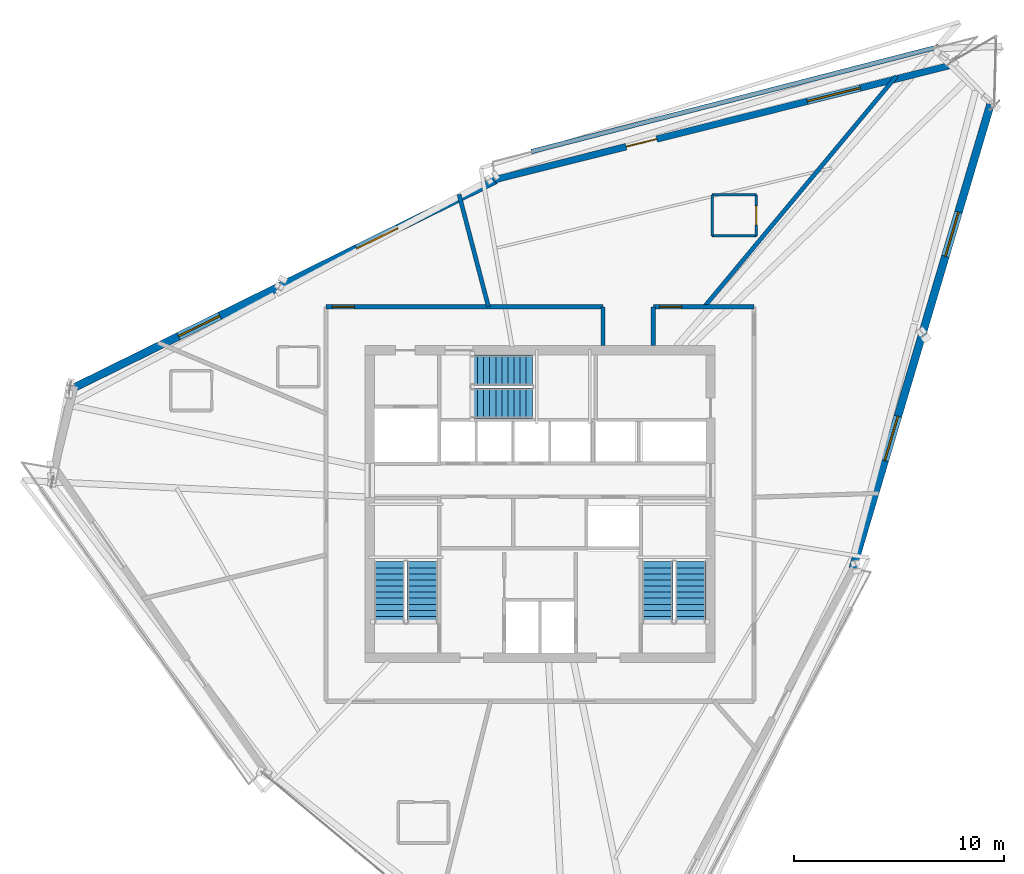
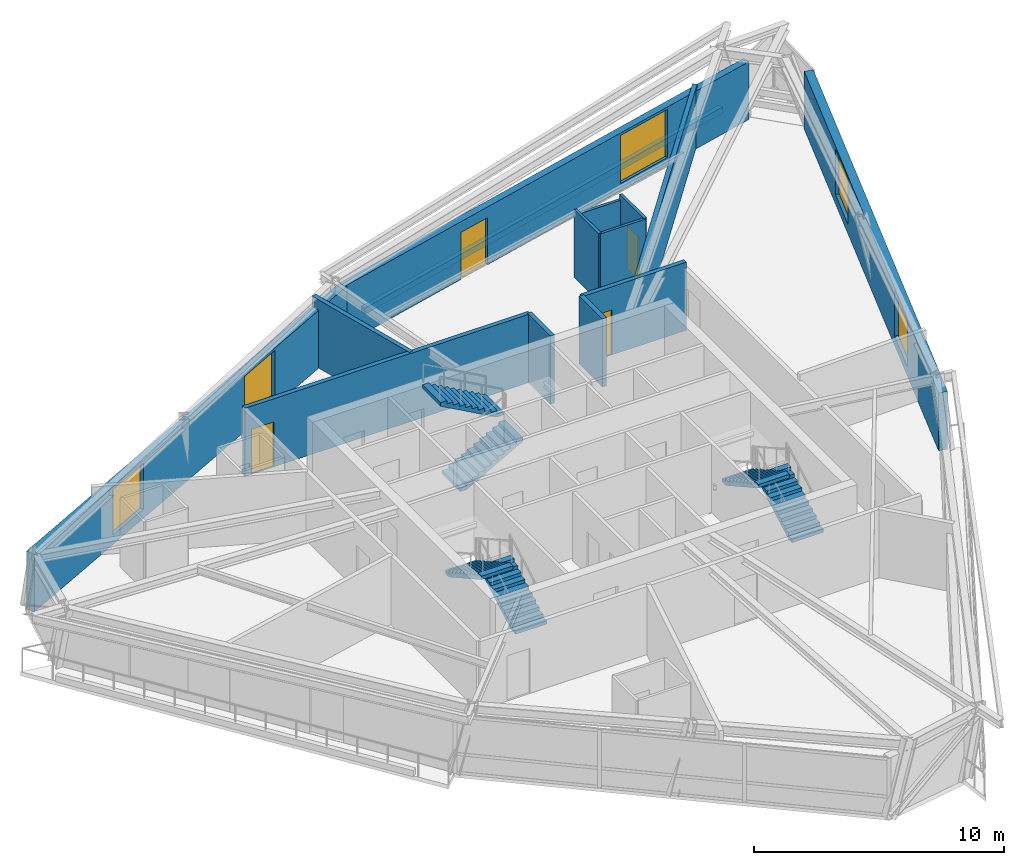
# One storey, part 11 of 14: 14 walls, 6 stair flights, 5 windows, 4 doors, 9 openings, 3 elements without a shape of their own.
"""IFC4 building model written with IfcOpenShell, lengths in metres."""

from ifc_helpers import new_model, si_unit, direction, frame, frame_2d, origin, place, context, subcontext, project, spatial, polyline, rectangle, outline, extrude, source, transform, mapped, material, layer, layer_set, type_object, type_shapes, element, fill, aggregate, save


model = new_model("IFC4")

# Units and contexts
model_context = context("Model", 3, precision=1e-05, world=origin(), true_north=direction((0.0, 1.0)))
body_context = subcontext(model_context, "Body", "Model", "MODEL_VIEW")
ifc_project = project(units=[si_unit("LENGTHUNIT", "METRE"), si_unit("AREAUNIT", "SQUARE_METRE"), si_unit("VOLUMEUNIT", "CUBIC_METRE"), si_unit("PLANEANGLEUNIT", "RADIAN"), si_unit("MASSUNIT", "GRAM", prefix="KILO")], contexts=[model_context])

# Site, building, storey
site_placement = place(None, origin())
site = spatial("IfcSite", under=ifc_project, at=site_placement, CompositionType="ELEMENT")
building_placement = place(site_placement, origin())
building = spatial("IfcBuilding", under=site, at=building_placement, Name="Olszyna Solenne Hotel", CompositionType="ELEMENT")
storey_placement = place(building_placement, frame((0.0, 0.0, 220.25)))
storey = spatial("IfcBuildingStorey", under=building, at=storey_placement, Name="L58", CompositionType="ELEMENT", Elevation=220.25)

# Wall, openings, door, window
ifc_material_1 = material(Name="Precast concrete C45/55", Category="concrete")
ifc_layer_1 = layer(ifc_material_1, 0.320068359375, Name="Precast concrete C45/55")
ifc_layer_set_1 = layer_set([ifc_layer_1], Name="Precast concrete C45/55")
wall_type_1 = type_object("IfcWallType", Name="WL-EX320", PredefinedType="SOLIDWALL", material=ifc_layer_set_1)
wall_1_placement = place(storey_placement, frame((35.845703125, 42.06103515625, 0.0), z_axis=(0.0, 0.0, 1.0), x_axis=(0.969934169837, 0.243367430408, 0.0)))
wall_1 = element("IfcWall", 1, at=wall_1_placement, inside=storey, type_object=wall_type_1, Name="Exterior terracotta-precast frame wall WL-EX320 EW-L58-07", PredefinedType="SOLIDWALL", context=body_context, shape_type="SweptSolid", body=[
    extrude(rectangle(XDim=22.51123046875, YDim=0.320068359375, at=frame_2d((11.255615234375, 0.0))), origin(), (0.0, 0.0, 1.0), 2.822021484375),
])
opening_1_placement = place(wall_1_placement, frame((6.4541015625, 0.0, 0.0)))
opening_1 = element("IfcOpeningElement", 2, at=opening_1_placement, cuts=wall_1, Name="Opening LDG-L58-1", PredefinedType="OPENING", context=body_context, shape_type="SweptSolid", body=[
    extrude(rectangle(XDim=1.5, YDim=2.300048828125, at=frame_2d((0.75, 1.14990234375))), frame((0.0, 0.169921875, 0.0), z_axis=(0.0, -1.0, 0.0), x_axis=(1.0, 0.0, 0.0)), (0.0, 0.0, 1.0), 0.340087890625),
])
opening_2_placement = place(wall_1_placement, frame((15.35791015625, 0.0, 0.35205078125)))
opening_2 = element("IfcOpeningElement", 3, at=opening_2_placement, cuts=wall_1, Name="Opening WN-L58-377", PredefinedType="OPENING", context=body_context, shape_type="SweptSolid", body=[
    extrude(rectangle(XDim=2.60009765625, YDim=2.35009765625, at=frame_2d((1.300048828125, 1.175048828125))), frame((0.0, 0.169921875, 0.0), z_axis=(0.0, -1.0, 0.0), x_axis=(1.0, 0.0, 0.0)), (0.0, 0.0, 1.0), 0.340087890625),
])
ifc_material_2 = material(Name="Anodised bronze aluminium", Category="aluminium")
door_type_1 = type_object("IfcDoorType", Name="DR-LG2", OperationType="DOUBLE_DOOR_SINGLE_SWING", PredefinedType="DOOR", material=ifc_material_2)
shared_shape_1 = source(origin(), body_context, "Body", "SweptSolid", [
    extrude(rectangle(XDim=1.5, YDim=2.300048828125, at=frame_2d((0.75, 1.14990234375))), frame((0.0, 0.02490234375, 0.0), z_axis=(0.0, -1.0, 0.0), x_axis=(1.0, 0.0, 0.0)), (0.0, 0.0, 1.0), 0.050048828125),
])
type_shapes(door_type_1, [shared_shape_1])
door_1_placement = place(opening_1_placement, origin())
door_1 = element("IfcDoor", 4, at=door_1_placement, inside=storey, type_object=door_type_1, Name="Exterior loggia balcony door DR-LG2 LDG-L58-1", OperationType="DOUBLE_DOOR_SINGLE_SWING", OverallHeight=2.300048828125, OverallWidth=1.5, PredefinedType="DOOR", context=body_context, shape_type="MappedRepresentation", body=[
    mapped(shared_shape_1, transform((0.0, 0.0, 0.0), x_axis=(1.0, 0.0, 0.0), y_axis=(0.0, 1.0, 0.0), z_axis=(0.0, 0.0, 1.0), scale=1.0)),
])
fill(opening_1, door_1)
ifc_material_3 = material(Name="Low-E triple glazing", Category="glass")
window_type_1 = type_object("IfcWindowType", Name="WN-ST1", PartitioningType="SINGLE_PANEL", PredefinedType="WINDOW", material=ifc_material_3)
shared_shape_2 = source(origin(), body_context, "Body", "SweptSolid", [
    extrude(rectangle(XDim=2.60009765625, YDim=2.35009765625, at=frame_2d((1.300048828125, 1.175048828125))), frame((0.0, 0.030029296875, 0.0), z_axis=(0.0, -1.0, 0.0), x_axis=(1.0, 0.0, 0.0)), (0.0, 0.0, 1.0), 0.06005859375),
])
type_shapes(window_type_1, [shared_shape_2])
window_1_placement = place(opening_2_placement, origin())
window_1 = element("IfcWindow", 5, at=window_1_placement, inside=storey, type_object=window_type_1, Name="Loggia room window WN-ST1 WN-L58-377", OverallHeight=2.35009765625, OverallWidth=2.60009765625, PartitioningType="SINGLE_PANEL", PredefinedType="WINDOW", context=body_context, shape_type="MappedRepresentation", body=[
    mapped(shared_shape_2, transform((0.0, 0.0, 0.0), x_axis=(1.0, 0.0, 0.0), y_axis=(0.0, 1.0, 0.0), z_axis=(0.0, 0.0, 1.0), scale=1.0)),
])
fill(opening_2, window_1)

# Wall, openings, windows
ifc_material_4 = material(Name="Terracotta cladding on precast concrete C45/55", Category="masonry")
ifc_layer_2 = layer(ifc_material_4, 0.3798828125, Name="Terracotta cladding on precast concrete C45/55")
ifc_layer_set_2 = layer_set([ifc_layer_2], Name="Terracotta cladding on precast concrete C45/55")
wall_type_2 = type_object("IfcWallType", Name="WL-EX380", PredefinedType="SOLIDWALL", material=ifc_layer_set_2)
wall_2_placement = place(storey_placement, frame((15.6962890625, 32.099609375, 0.0), z_axis=(0.0, 0.0, 1.0), x_axis=(0.89709423073, 0.441839270766, 0.0)))
wall_2 = element("IfcWall", 6, at=wall_2_placement, inside=storey, type_object=wall_type_2, Name="Exterior terracotta-precast frame wall WL-EX380 EW-L58-06", PredefinedType="SOLIDWALL", context=body_context, shape_type="SweptSolid", body=[
    extrude(rectangle(XDim=22.510986328125, YDim=0.3798828125, at=frame_2d((11.25537109375, 0.0))), origin(), (0.0, 0.0, 1.0), 2.822021484375),
])
opening_3_placement = place(wall_2_placement, frame((5.653076171875, 0.0, 0.451904296875)))
opening_3 = element("IfcOpeningElement", 7, at=opening_3_placement, cuts=wall_2, Name="Opening WN-L58-375", PredefinedType="OPENING", context=body_context, shape_type="SweptSolid", body=[
    extrude(rectangle(XDim=2.199951171875, YDim=2.25, at=frame_2d((1.10009765625, 1.125))), frame((0.0, 0.199951171875, 0.0), z_axis=(0.0, -1.0, 0.0), x_axis=(1.0, 0.0, 0.0)), (0.0, 0.0, 1.0), 0.39990234375),
])
opening_4_placement = place(wall_2_placement, frame((15.10791015625, 0.0, 0.451904296875)))
opening_4 = element("IfcOpeningElement", 8, at=opening_4_placement, cuts=wall_2, Name="Opening WN-L58-376", PredefinedType="OPENING", context=body_context, shape_type="SweptSolid", body=[
    extrude(rectangle(XDim=2.199951171875, YDim=2.25, at=frame_2d((1.10009765625, 1.125))), frame((0.0, 0.199951171875, 0.0), z_axis=(0.0, -1.0, 0.0), x_axis=(1.0, 0.0, 0.0)), (0.0, 0.0, 1.0), 0.39990234375),
])
window_type_2 = type_object("IfcWindowType", Name="WN-HT2", PartitioningType="SINGLE_PANEL", PredefinedType="WINDOW", material=ifc_material_3)
shared_shape_3 = source(origin(), body_context, "Body", "SweptSolid", [
    extrude(rectangle(XDim=2.199951171875, YDim=2.25, at=frame_2d((1.10009765625, 1.125))), frame((0.0, 0.030029296875, 0.0), z_axis=(0.0, -1.0, 0.0), x_axis=(1.0, 0.0, 0.0)), (0.0, 0.0, 1.0), 0.06005859375),
])
type_shapes(window_type_2, [shared_shape_3])
window_2_placement = place(opening_3_placement, origin())
window_2 = element("IfcWindow", 9, at=window_2_placement, inside=storey, type_object=window_type_2, Name="Exterior facade window WN-HT2 WN-L58-375", OverallHeight=2.25, OverallWidth=2.199951171875, PartitioningType="SINGLE_PANEL", PredefinedType="WINDOW", context=body_context, shape_type="MappedRepresentation", body=[
    mapped(shared_shape_3, transform((0.0, 0.0, 0.0), x_axis=(1.0, 0.0, 0.0), y_axis=(0.0, 1.0, 0.0), z_axis=(0.0, 0.0, 1.0), scale=1.0)),
])
fill(opening_3, window_2)
window_3_placement = place(opening_4_placement, origin())
window_3 = element("IfcWindow", 10, at=window_3_placement, inside=storey, type_object=window_type_2, Name="Exterior facade window WN-HT2 WN-L58-376", OverallHeight=2.25, OverallWidth=2.199951171875, PartitioningType="SINGLE_PANEL", PredefinedType="WINDOW", context=body_context, shape_type="MappedRepresentation", body=[
    mapped(shared_shape_3, transform((0.0, 0.0, 0.0), x_axis=(1.0, 0.0, 0.0), y_axis=(0.0, 1.0, 0.0), z_axis=(0.0, 0.0, 1.0), scale=1.0)),
])
fill(opening_4, window_3)

wall_3_placement = place(storey_placement, frame((59.4736328125, 45.652099609375, 0.0), z_axis=(0.0, 0.0, 1.0), x_axis=(-0.284530367531, -0.958667027676, 0.0)))
wall_3 = element("IfcWall", 11, at=wall_3_placement, inside=storey, type_object=wall_type_2, Name="Exterior terracotta-precast frame wall WL-EX380 EW-L58-10", PredefinedType="SOLIDWALL", context=body_context, shape_type="SweptSolid", body=[
    extrude(rectangle(XDim=23.072021484375, YDim=0.3798828125, at=frame_2d((11.5361328125, 0.0))), origin(), (0.0, 0.0, 1.0), 2.822021484375),
])
opening_5_placement = place(wall_3_placement, frame((5.360107421875, 0.0, 0.451904296875)))
opening_5 = element("IfcOpeningElement", 12, at=opening_5_placement, cuts=wall_3, Name="Opening WN-L58-378", PredefinedType="OPENING", context=body_context, shape_type="SweptSolid", body=[
    extrude(rectangle(XDim=2.199951171875, YDim=2.25, at=frame_2d((1.10009765625, 1.125))), frame((0.0, 0.199951171875, 0.0), z_axis=(0.0, -1.0, 0.0), x_axis=(1.0, 0.0, 0.0)), (0.0, 0.0, 1.0), 0.39990234375),
])
opening_6_placement = place(wall_3_placement, frame((15.511962890625, 0.0, 0.451904296875)))
opening_6 = element("IfcOpeningElement", 13, at=opening_6_placement, cuts=wall_3, Name="Opening WN-L58-379", PredefinedType="OPENING", context=body_context, shape_type="SweptSolid", body=[
    extrude(rectangle(XDim=2.199951171875, YDim=2.25, at=frame_2d((1.10009765625, 1.125))), frame((0.0, 0.199951171875, 0.0), z_axis=(0.0, -1.0, 0.0), x_axis=(1.0, 0.0, 0.0)), (0.0, 0.0, 1.0), 0.39990234375),
])
window_4_placement = place(opening_5_placement, origin())
window_4 = element("IfcWindow", 14, at=window_4_placement, inside=storey, type_object=window_type_2, Name="Exterior facade window WN-HT2 WN-L58-378", OverallHeight=2.25, OverallWidth=2.199951171875, PartitioningType="SINGLE_PANEL", PredefinedType="WINDOW", context=body_context, shape_type="MappedRepresentation", body=[
    mapped(shared_shape_3, transform((0.0, 0.0, 0.0), x_axis=(1.0, 0.0, 0.0), y_axis=(0.0, 1.0, 0.0), z_axis=(0.0, 0.0, 1.0), scale=1.0)),
])
fill(opening_5, window_4)
window_5_placement = place(opening_6_placement, origin())
window_5 = element("IfcWindow", 15, at=window_5_placement, inside=storey, type_object=window_type_2, Name="Exterior facade window WN-HT2 WN-L58-379", OverallHeight=2.25, OverallWidth=2.199951171875, PartitioningType="SINGLE_PANEL", PredefinedType="WINDOW", context=body_context, shape_type="MappedRepresentation", body=[
    mapped(shared_shape_3, transform((0.0, 0.0, 0.0), x_axis=(1.0, 0.0, 0.0), y_axis=(0.0, 1.0, 0.0), z_axis=(0.0, 0.0, 1.0), scale=1.0)),
])
fill(opening_6, window_5)

# Wall
ifc_layer_3 = layer(ifc_material_1, 0.219970703125, Name="Precast concrete C45/55")
ifc_layer_set_3 = layer_set([ifc_layer_3], Name="Precast concrete C45/55")
wall_type_3 = type_object("IfcWallType", Name="WL-PR220", PredefinedType="PARAPET", material=ifc_layer_set_3)
wall_4_placement = place(storey_placement, frame((57.006103515625, 48.396484375, 0.0), z_axis=(0.0, 0.0, 1.0), x_axis=(-0.968440730426, -0.249243960111, 0.0)))
element("IfcWall", 16, at=wall_4_placement, inside=storey, type_object=wall_type_3, Name="Loggia balcony precast kerb PR-L58-LG1", PredefinedType="PARAPET", context=body_context, shape_type="SweptSolid", body=[
    extrude(rectangle(XDim=20.0546875, YDim=0.219970703125, at=frame_2d((10.02734375, 0.0))), origin(), (0.0, 0.0, 1.0), 0.300048828125),
])

# Wall, opening, door
ifc_material_5 = material(Name="Acoustic gypsum partition", Category="gypsum")
ifc_layer_4 = layer(ifc_material_5, 0.125, Name="Acoustic gypsum partition")
ifc_layer_set_4 = layer_set([ifc_layer_4], Name="Acoustic gypsum partition")
wall_type_4 = type_object("IfcWallType", Name="WL-PT125", PredefinedType="PARTITIONING", material=ifc_layer_set_4)
wall_5_placement = place(storey_placement, frame((48.306884765625, 39.383056640625, 0.0), z_axis=(0.0, 0.0, 1.0), x_axis=(0.0, 1.0, 0.0)))
wall_5 = element("IfcWall", 17, at=wall_5_placement, inside=storey, type_object=wall_type_4, Name="Interior acoustic partition WL-PT125 PW-L58-3233", PredefinedType="PARTITIONING", context=body_context, shape_type="SweptSolid", body=[
    extrude(rectangle(XDim=1.949951171875, YDim=0.125, at=frame_2d((0.97509765625, 0.0))), origin(), (0.0, 0.0, 1.0), 3.330078125),
])
opening_7_placement = place(wall_5_placement, frame((0.52490234375, 0.0, 0.0)))
opening_7 = element("IfcOpeningElement", 18, at=opening_7_placement, cuts=wall_5, Name="Opening DR-L58-0783", PredefinedType="OPENING", context=body_context, shape_type="SweptSolid", body=[
    extrude(rectangle(XDim=0.89990234375, YDim=2.10009765625, at=frame_2d((0.449951171875, 1.050048828125))), frame((0.0, 0.072509765625, 0.0), z_axis=(0.0, -1.0, 0.0), x_axis=(1.0, 0.0, 0.0)), (0.0, 0.0, 1.0), 0.14501953125),
])
ifc_material_6 = material(Name="Timber hardwood", Category="wood")
door_type_2 = type_object("IfcDoorType", Name="DR-WC1", OperationType="NOTDEFINED", PredefinedType="DOOR", material=ifc_material_6)
shared_shape_4 = source(origin(), body_context, "Body", "SweptSolid", [
    extrude(rectangle(XDim=0.89990234375, YDim=2.10009765625, at=frame_2d((0.449951171875, 1.050048828125))), frame((0.0, 0.02490234375, 0.0), z_axis=(0.0, -1.0, 0.0), x_axis=(1.0, 0.0, 0.0)), (0.0, 0.0, 1.0), 0.050048828125),
])
type_shapes(door_type_2, [shared_shape_4])
door_2_placement = place(opening_7_placement, origin())
door_2 = element("IfcDoor", 19, at=door_2_placement, inside=storey, type_object=door_type_2, Name="En-Suite Bathroom Door DR-L58-0783", OperationType="SINGLE_SWING_LEFT", OverallHeight=2.10009765625, OverallWidth=0.89990234375, PredefinedType="DOOR", context=body_context, shape_type="MappedRepresentation", body=[
    mapped(shared_shape_4, transform((0.0, 0.0, 0.0), x_axis=(1.0, 0.0, 0.0), y_axis=(0.0, 1.0, 0.0), z_axis=(0.0, 0.0, 1.0), scale=1.0)),
])
fill(opening_7, door_2)

# Walls
wall_6_placement = place(storey_placement, frame((48.306884765625, 41.3330078125, 0.0), z_axis=(0.0, 0.0, 1.0), x_axis=(-1.0, 0.0, 0.0)))
element("IfcWall", 20, at=wall_6_placement, inside=storey, type_object=wall_type_4, Name="Interior acoustic partition WL-PT125 PW-L58-3234", PredefinedType="PARTITIONING", context=body_context, shape_type="SweptSolid", body=[
    extrude(rectangle(XDim=2.099853515625, YDim=0.125, at=frame_2d((1.0498046875, 0.0))), origin(), (0.0, 0.0, 1.0), 3.074951171875),
])
wall_7_placement = place(storey_placement, frame((46.20703125, 41.3330078125, 0.0), z_axis=(0.0, 0.0, 1.0), x_axis=(0.0, -1.0, 0.0)))
element("IfcWall", 21, at=wall_7_placement, inside=storey, type_object=wall_type_4, Name="Interior acoustic partition WL-PT125 PW-L58-3235", PredefinedType="PARTITIONING", context=body_context, shape_type="SweptSolid", body=[
    extrude(rectangle(XDim=1.949951171875, YDim=0.125, at=frame_2d((0.97509765625, 0.0))), origin(), (0.0, 0.0, 1.0), 3.330078125),
])
wall_8_placement = place(storey_placement, frame((46.20703125, 39.383056640625, 0.0), z_axis=(0.0, 0.0, 1.0), x_axis=(1.0, 0.0, 0.0)))
element("IfcWall", 22, at=wall_8_placement, inside=storey, type_object=wall_type_4, Name="Interior acoustic partition WL-PT125 PW-L58-3236", PredefinedType="PARTITIONING", context=body_context, shape_type="SweptSolid", body=[
    extrude(rectangle(XDim=2.099853515625, YDim=0.125, at=frame_2d((1.0498046875, 0.0))), origin(), (0.0, 0.0, 1.0), 3.330078125),
])
ifc_layer_5 = layer(ifc_material_5, 0.199951171875, Name="Acoustic gypsum partition")
ifc_layer_set_5 = layer_set([ifc_layer_5], Name="Acoustic gypsum partition")
wall_type_5 = type_object("IfcWallType", Name="WL-PT200", PredefinedType="PARTITIONING", material=ifc_layer_set_5)
wall_9_placement = place(storey_placement, frame((45.829833984375, 36.0, 0.0), z_axis=(0.0, 0.0, 1.0), x_axis=(0.640019986759, 0.768358260545, 0.0)))
element("IfcWall", 23, at=wall_9_placement, inside=storey, type_object=wall_type_5, Name="Interior acoustic partition WL-PT200 PW-L58-3226", PredefinedType="PARTITIONING", context=body_context, shape_type="SweptSolid", body=[
    extrude(rectangle(XDim=14.31494140625, YDim=0.199951171875, at=frame_2d((7.157470703125, 0.0))), origin(), (0.0, 0.0, 1.0), 2.925048828125),
])
wall_10_placement = place(storey_placement, frame((35.541015625, 36.0, 0.0), z_axis=(0.0, 0.0, 1.0), x_axis=(-0.253105140305, 0.967438777366, 0.0)))
element("IfcWall", 24, at=wall_10_placement, inside=storey, type_object=wall_type_5, Name="Interior acoustic partition WL-PT200 PW-L58-3227", PredefinedType="PARTITIONING", context=body_context, shape_type="SweptSolid", body=[
    extrude(rectangle(XDim=5.54150390625, YDim=0.199951171875, at=frame_2d((2.770751953125, 0.0))), origin(), (0.0, 0.0, 1.0), 3.330078125),
])

# Wall, opening, door
wall_11_placement = place(storey_placement, frame((27.800048828125, 36.0, 0.0), z_axis=(0.0, 0.0, 1.0), x_axis=(1.0, 0.0, 0.0)))
wall_11 = element("IfcWall", 25, at=wall_11_placement, inside=storey, type_object=wall_type_5, Name="Interior acoustic partition WL-PT200 PW-L58-3247", PredefinedType="PARTITIONING", context=body_context, shape_type="SweptSolid", body=[
    extrude(rectangle(XDim=13.199951171875, YDim=0.199951171875, at=frame_2d((6.60009765625, 0.0))), origin(), (0.0, 0.0, 1.0), 3.330078125),
])
opening_8_placement = place(wall_11_placement, frame((0.300048828125, 0.0, 0.0)))
opening_8 = element("IfcOpeningElement", 26, at=opening_8_placement, cuts=wall_11, Name="Opening DR-L58-0789", PredefinedType="OPENING", context=body_context, shape_type="SweptSolid", body=[
    extrude(rectangle(XDim=1.050048828125, YDim=2.199951171875, at=frame_2d((0.52490234375, 1.10009765625))), frame((0.0, 0.10986328125, 0.0), z_axis=(0.0, -1.0, 0.0), x_axis=(1.0, 0.0, 0.0)), (0.0, 0.0, 1.0), 0.219970703125),
])
door_type_3 = type_object("IfcDoorType", Name="DR-RM2", OperationType="NOTDEFINED", PredefinedType="DOOR", material=ifc_material_6)
shared_shape_5 = source(origin(), body_context, "Body", "SweptSolid", [
    extrude(rectangle(XDim=1.050048828125, YDim=2.199951171875, at=frame_2d((0.52490234375, 1.10009765625))), frame((0.0, 0.02490234375, 0.0), z_axis=(0.0, -1.0, 0.0), x_axis=(1.0, 0.0, 0.0)), (0.0, 0.0, 1.0), 0.050048828125),
])
type_shapes(door_type_3, [shared_shape_5])
door_3_placement = place(opening_8_placement, origin())
door_3 = element("IfcDoor", 27, at=door_3_placement, inside=storey, type_object=door_type_3, Name="Deluxe Hotel Guestroom Entrance Door DR-L58-0789", OperationType="SINGLE_SWING_RIGHT", OverallHeight=2.199951171875, OverallWidth=1.050048828125, PredefinedType="DOOR", context=body_context, shape_type="MappedRepresentation", body=[
    mapped(shared_shape_5, transform((0.0, 0.0, 0.0), x_axis=(1.0, 0.0, 0.0), y_axis=(0.0, 1.0, 0.0), z_axis=(0.0, 0.0, 1.0), scale=1.0)),
])
fill(opening_8, door_3)

# Wall
wall_12_placement = place(storey_placement, frame((41.0, 34.14990234375, 0.0), z_axis=(0.0, 0.0, 1.0), x_axis=(0.0, 1.0, 0.0)))
element("IfcWall", 28, at=wall_12_placement, inside=storey, type_object=wall_type_5, Name="Interior acoustic partition WL-PT200 PW-L58-3248", PredefinedType="PARTITIONING", context=body_context, shape_type="SweptSolid", body=[
    extrude(rectangle(XDim=1.85009765625, YDim=0.199951171875, at=frame_2d((0.925048828125, 0.0))), origin(), (0.0, 0.0, 1.0), 3.330078125),
])

# Wall, opening, door
wall_13_placement = place(storey_placement, frame((43.39990234375, 36.0, 0.0), z_axis=(0.0, 0.0, 1.0), x_axis=(1.0, 0.0, 0.0)))
wall_13 = element("IfcWall", 29, at=wall_13_placement, inside=storey, type_object=wall_type_5, Name="Interior acoustic partition WL-PT200 PW-L58-3249", PredefinedType="PARTITIONING", context=body_context, shape_type="SweptSolid", body=[
    extrude(rectangle(XDim=4.800048828125, YDim=0.199951171875, at=frame_2d((2.39990234375, 0.0))), origin(), (0.0, 0.0, 1.0), 3.330078125),
])
opening_9_placement = place(wall_13_placement, frame((0.300048828125, 0.0, 0.0)))
opening_9 = element("IfcOpeningElement", 30, at=opening_9_placement, cuts=wall_13, Name="Opening DR-L58-0790", PredefinedType="OPENING", context=body_context, shape_type="SweptSolid", body=[
    extrude(rectangle(XDim=1.050048828125, YDim=2.199951171875, at=frame_2d((0.52490234375, 1.10009765625))), frame((0.0, 0.10986328125, 0.0), z_axis=(0.0, -1.0, 0.0), x_axis=(1.0, 0.0, 0.0)), (0.0, 0.0, 1.0), 0.219970703125),
])
door_4_placement = place(opening_9_placement, origin())
door_4 = element("IfcDoor", 31, at=door_4_placement, inside=storey, type_object=door_type_3, Name="Deluxe Hotel Guestroom Entrance Door DR-L58-0790", OperationType="SINGLE_SWING_LEFT", OverallHeight=2.199951171875, OverallWidth=1.050048828125, PredefinedType="DOOR", context=body_context, shape_type="MappedRepresentation", body=[
    mapped(shared_shape_5, transform((0.0, 0.0, 0.0), x_axis=(1.0, 0.0, 0.0), y_axis=(0.0, 1.0, 0.0), z_axis=(0.0, 0.0, 1.0), scale=1.0)),
])
fill(opening_9, door_4)

# Wall
wall_14_placement = place(storey_placement, frame((43.39990234375, 34.14990234375, 0.0), z_axis=(0.0, 0.0, 1.0), x_axis=(0.0, 1.0, 0.0)))
element("IfcWall", 32, at=wall_14_placement, inside=storey, type_object=wall_type_5, Name="Interior acoustic partition WL-PT200 PW-L58-3250", PredefinedType="PARTITIONING", context=body_context, shape_type="SweptSolid", body=[
    extrude(rectangle(XDim=1.85009765625, YDim=0.199951171875, at=frame_2d((0.925048828125, 0.0))), origin(), (0.0, 0.0, 1.0), 3.330078125),
])

# Stair, stair flights
ifc_material_7 = material(Name="Concrete C40/50", Category="concrete")
stair_type = type_object("IfcStairType", Name="STR-C1", PredefinedType="TWO_QUARTER_WINDING_STAIR", material=ifc_material_7)
stair_1_placement = place(storey_placement, origin())
stair_1 = element("IfcStair", 33, at=stair_1_placement, inside=storey, type_object=stair_type, Name="L58 ST1", PredefinedType="TWO_QUARTER_WINDING_STAIR")
stair_flight_type = type_object("IfcStairFlightType", Name="FLT-C1", PredefinedType="STRAIGHT", material=ifc_material_7)
stair_flight_1_placement = place(storey_placement, frame((32.39501953125, 20.949951171875, 0.0), z_axis=(0.0, 0.0, 1.0), x_axis=(0.0, 1.0, 0.0)))
stair_flight_1 = element("IfcStairFlight", 34, at=stair_flight_1_placement, type_object=stair_flight_type, Name="ST1 flight 1", NumberOfRisers=11, NumberOfTreads=10, PredefinedType="STRAIGHT", RiserHeight=0.161363636, TreadLength=0.29, context=body_context, shape_type="SweptSolid", body=[
    extrude(outline(polyline([(0.0, 0.0), (0.0, 0.161376953125), (0.2900390625, 0.161376953125), (0.2900390625, 0.32275390625), (0.580078125, 0.32275390625), (0.580078125, 0.484130859375), (0.8701171875, 0.484130859375), (0.8701171875, 0.6455078125), (1.159912109375, 0.6455078125), (1.159912109375, 0.806884765625), (1.449951171875, 0.806884765625), (1.449951171875, 0.96826171875), (1.739990234375, 0.96826171875), (1.739990234375, 1.129638671875), (2.030029296875, 1.129638671875), (2.030029296875, 1.291015625), (2.320068359375, 1.291015625), (2.320068359375, 1.452392578125), (2.610107421875, 1.452392578125), (2.610107421875, 1.613525390625), (2.89990234375, 1.613525390625), (2.89990234375, 1.77490234375), (2.89990234375, 1.442138671875), (0.308349609375, 0.0), (0.0, 0.0)])), frame((0.0, 0.72509765625, 0.0), z_axis=(0.0, -1.0, 0.0), x_axis=(1.0, 0.0, 0.0)), (0.0, 0.0, 1.0), 1.449951171875),
])
stair_flight_2_placement = place(storey_placement, frame((30.824951171875, 23.85009765625, 1.77490234375), z_axis=(0.0, 0.0, 1.0), x_axis=(0.0, -1.0, 0.0)))
stair_flight_2 = element("IfcStairFlight", 35, at=stair_flight_2_placement, type_object=stair_flight_type, Name="ST1 flight 2", NumberOfRisers=11, NumberOfTreads=10, PredefinedType="STRAIGHT", RiserHeight=0.161363636, TreadLength=0.29, context=body_context, shape_type="SweptSolid", body=[
    extrude(outline(polyline([(0.0, 0.0), (0.0, 0.161376953125), (0.2900390625, 0.161376953125), (0.2900390625, 0.32275390625), (0.580078125, 0.32275390625), (0.580078125, 0.484130859375), (0.8701171875, 0.484130859375), (0.8701171875, 0.6455078125), (1.159912109375, 0.6455078125), (1.159912109375, 0.806884765625), (1.449951171875, 0.806884765625), (1.449951171875, 0.96826171875), (1.739990234375, 0.96826171875), (1.739990234375, 1.129638671875), (2.030029296875, 1.129638671875), (2.030029296875, 1.291015625), (2.320068359375, 1.291015625), (2.320068359375, 1.452392578125), (2.610107421875, 1.452392578125), (2.610107421875, 1.613525390625), (2.89990234375, 1.613525390625), (2.89990234375, 1.77490234375), (2.89990234375, 1.442138671875), (0.308349609375, 0.0), (0.0, 0.0)])), frame((0.0, 0.72509765625, 0.0), z_axis=(0.0, -1.0, 0.0), x_axis=(1.0, 0.0, 0.0)), (0.0, 0.0, 1.0), 1.449951171875),
])
aggregate(stair_1, [stair_flight_1, stair_flight_2])

stair_2_placement = place(storey_placement, origin())
stair_2 = element("IfcStair", 36, at=stair_2_placement, inside=storey, type_object=stair_type, Name="L58 ST2", PredefinedType="TWO_QUARTER_WINDING_STAIR")
stair_flight_3_placement = place(storey_placement, frame((45.175048828125, 20.949951171875, 0.0), z_axis=(0.0, 0.0, 1.0), x_axis=(0.0, 1.0, 0.0)))
stair_flight_3 = element("IfcStairFlight", 37, at=stair_flight_3_placement, type_object=stair_flight_type, Name="ST2 flight 1", NumberOfRisers=11, NumberOfTreads=10, PredefinedType="STRAIGHT", RiserHeight=0.161363636, TreadLength=0.29, context=body_context, shape_type="SweptSolid", body=[
    extrude(outline(polyline([(0.0, 0.0), (0.0, 0.161376953125), (0.2900390625, 0.161376953125), (0.2900390625, 0.32275390625), (0.580078125, 0.32275390625), (0.580078125, 0.484130859375), (0.8701171875, 0.484130859375), (0.8701171875, 0.6455078125), (1.159912109375, 0.6455078125), (1.159912109375, 0.806884765625), (1.449951171875, 0.806884765625), (1.449951171875, 0.96826171875), (1.739990234375, 0.96826171875), (1.739990234375, 1.129638671875), (2.030029296875, 1.129638671875), (2.030029296875, 1.291015625), (2.320068359375, 1.291015625), (2.320068359375, 1.452392578125), (2.610107421875, 1.452392578125), (2.610107421875, 1.613525390625), (2.89990234375, 1.613525390625), (2.89990234375, 1.77490234375), (2.89990234375, 1.442138671875), (0.308349609375, 0.0), (0.0, 0.0)])), frame((0.0, 0.72509765625, 0.0), z_axis=(0.0, -1.0, 0.0), x_axis=(1.0, 0.0, 0.0)), (0.0, 0.0, 1.0), 1.449951171875),
])
stair_flight_4_placement = place(storey_placement, frame((43.60498046875, 23.85009765625, 1.77490234375), z_axis=(0.0, 0.0, 1.0), x_axis=(0.0, -1.0, 0.0)))
stair_flight_4 = element("IfcStairFlight", 38, at=stair_flight_4_placement, type_object=stair_flight_type, Name="ST2 flight 2", NumberOfRisers=11, NumberOfTreads=10, PredefinedType="STRAIGHT", RiserHeight=0.161363636, TreadLength=0.29, context=body_context, shape_type="SweptSolid", body=[
    extrude(outline(polyline([(0.0, 0.0), (0.0, 0.161376953125), (0.2900390625, 0.161376953125), (0.2900390625, 0.32275390625), (0.580078125, 0.32275390625), (0.580078125, 0.484130859375), (0.8701171875, 0.484130859375), (0.8701171875, 0.6455078125), (1.159912109375, 0.6455078125), (1.159912109375, 0.806884765625), (1.449951171875, 0.806884765625), (1.449951171875, 0.96826171875), (1.739990234375, 0.96826171875), (1.739990234375, 1.129638671875), (2.030029296875, 1.129638671875), (2.030029296875, 1.291015625), (2.320068359375, 1.291015625), (2.320068359375, 1.452392578125), (2.610107421875, 1.452392578125), (2.610107421875, 1.613525390625), (2.89990234375, 1.613525390625), (2.89990234375, 1.77490234375), (2.89990234375, 1.442138671875), (0.308349609375, 0.0), (0.0, 0.0)])), frame((0.0, 0.72509765625, 0.0), z_axis=(0.0, -1.0, 0.0), x_axis=(1.0, 0.0, 0.0)), (0.0, 0.0, 1.0), 1.449951171875),
])
aggregate(stair_2, [stair_flight_3, stair_flight_4])

stair_3_placement = place(storey_placement, origin())
stair_3 = element("IfcStair", 39, at=stair_3_placement, inside=storey, type_object=stair_type, Name="L58 ST3", PredefinedType="TWO_QUARTER_WINDING_STAIR")
stair_flight_5_placement = place(storey_placement, frame((34.72998046875, 31.405029296875, 0.0), z_axis=(0.0, 0.0, 1.0), x_axis=(1.0, 0.0, 0.0)))
stair_flight_5 = element("IfcStairFlight", 40, at=stair_flight_5_placement, type_object=stair_flight_type, Name="ST3 flight 1", NumberOfRisers=11, NumberOfTreads=10, PredefinedType="STRAIGHT", RiserHeight=0.161363636, TreadLength=0.29, context=body_context, shape_type="SweptSolid", body=[
    extrude(outline(polyline([(0.0, 0.0), (0.0, 0.161376953125), (0.2900390625, 0.161376953125), (0.2900390625, 0.32275390625), (0.580078125, 0.32275390625), (0.580078125, 0.484130859375), (0.8701171875, 0.484130859375), (0.8701171875, 0.6455078125), (1.159912109375, 0.6455078125), (1.159912109375, 0.806884765625), (1.449951171875, 0.806884765625), (1.449951171875, 0.96826171875), (1.739990234375, 0.96826171875), (1.739990234375, 1.129638671875), (2.030029296875, 1.129638671875), (2.030029296875, 1.291015625), (2.320068359375, 1.291015625), (2.320068359375, 1.452392578125), (2.610107421875, 1.452392578125), (2.610107421875, 1.613525390625), (2.89990234375, 1.613525390625), (2.89990234375, 1.77490234375), (2.89990234375, 1.442138671875), (0.308349609375, 0.0), (0.0, 0.0)])), frame((0.0, 0.72509765625, 0.0), z_axis=(0.0, -1.0, 0.0), x_axis=(1.0, 0.0, 0.0)), (0.0, 0.0, 1.0), 1.449951171875),
])
stair_flight_6_placement = place(storey_placement, frame((37.6298828125, 32.97509765625, 1.77490234375), z_axis=(0.0, 0.0, 1.0), x_axis=(-1.0, 0.0, 0.0)))
stair_flight_6 = element("IfcStairFlight", 41, at=stair_flight_6_placement, type_object=stair_flight_type, Name="ST3 flight 2", NumberOfRisers=11, NumberOfTreads=10, PredefinedType="STRAIGHT", RiserHeight=0.161363636, TreadLength=0.29, context=body_context, shape_type="SweptSolid", body=[
    extrude(outline(polyline([(0.0, 0.0), (0.0, 0.161376953125), (0.2900390625, 0.161376953125), (0.2900390625, 0.32275390625), (0.580078125, 0.32275390625), (0.580078125, 0.484130859375), (0.8701171875, 0.484130859375), (0.8701171875, 0.6455078125), (1.159912109375, 0.6455078125), (1.159912109375, 0.806884765625), (1.449951171875, 0.806884765625), (1.449951171875, 0.96826171875), (1.739990234375, 0.96826171875), (1.739990234375, 1.129638671875), (2.030029296875, 1.129638671875), (2.030029296875, 1.291015625), (2.320068359375, 1.291015625), (2.320068359375, 1.452392578125), (2.610107421875, 1.452392578125), (2.610107421875, 1.613525390625), (2.89990234375, 1.613525390625), (2.89990234375, 1.77490234375), (2.89990234375, 1.442138671875), (0.308349609375, 0.0), (0.0, 0.0)])), frame((0.0, 0.72509765625, 0.0), z_axis=(0.0, -1.0, 0.0), x_axis=(1.0, 0.0, 0.0)), (0.0, 0.0, 1.0), 1.449951171875),
])
aggregate(stair_3, [stair_flight_5, stair_flight_6])

save(model, "model.ifc")
